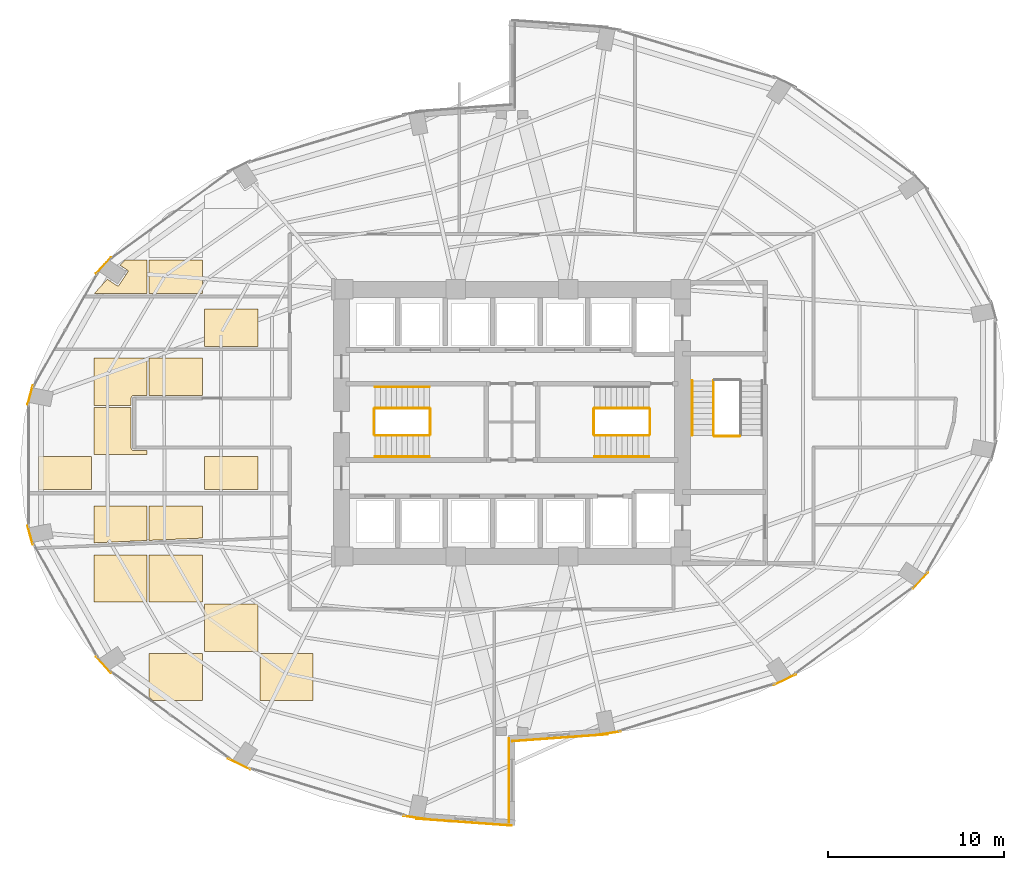
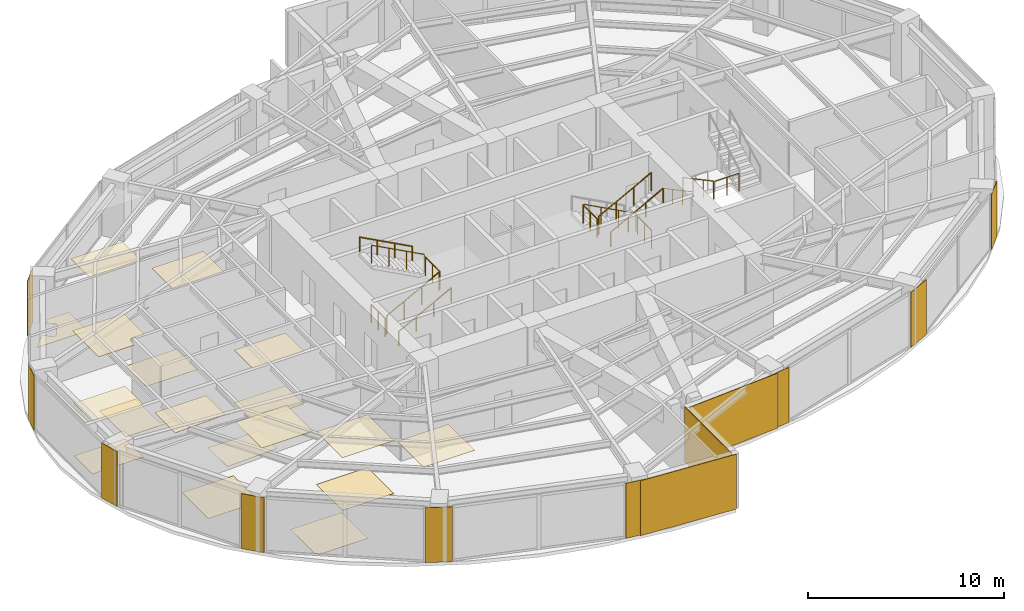
# One storey, part 23 of 24: 30 coverings, 14 railings.
"""IFC4 building model written with IfcOpenShell, lengths in metres."""

from ifc_helpers import new_model, si_unit, direction, frame, origin, origin_2d, place, context, subcontext, project, spatial, polyline, rectangle, circle, outline, extrude, material, layer, layer_set, type_object, element, save


model = new_model("IFC4")

# Units and contexts
model_context = context("Model", 3, precision=1e-05, world=origin(), true_north=direction((0.0, 1.0)))
body_context = subcontext(model_context, "Body", "Model", "MODEL_VIEW")
ifc_project = project(units=[si_unit("LENGTHUNIT", "METRE"), si_unit("AREAUNIT", "SQUARE_METRE"), si_unit("VOLUMEUNIT", "CUBIC_METRE"), si_unit("PLANEANGLEUNIT", "RADIAN"), si_unit("MASSUNIT", "GRAM", prefix="KILO")], contexts=[model_context])

# Site, building, storey
site_placement = place(None, origin())
site = spatial("IfcSite", under=ifc_project, at=site_placement, CompositionType="ELEMENT")
building_placement = place(site_placement, origin())
building = spatial("IfcBuilding", under=site, at=building_placement, Name="Lazwardi Medical Tower", CompositionType="ELEMENT")
storey_placement = place(building_placement, frame((0.0, 0.0, 39.7919921875)))
storey = spatial("IfcBuildingStorey", under=building, at=storey_placement, Name="L09", CompositionType="ELEMENT", Elevation=39.7919921875)

# Coverings
ifc_material_1 = material(Name="Anodised bronze aluminium cassette cladding", Category="aluminium")
ifc_layer_1 = layer(ifc_material_1, 0.030029296875)
ifc_layer_set_1 = layer_set([ifc_layer_1], Name="Anodised bronze aluminium cassette cladding")
covering_type_1 = type_object("IfcCoveringType", Name="COV-CLD-BRZ", PredefinedType="CLADDING", material=ifc_layer_set_1)
covering_1_placement = place(storey_placement, frame((41.454345703125, 10.33251953125, 0.0), z_axis=(0.0, 0.0, 1.0), x_axis=(0.98957259946, 0.144034962415, 0.0)))
element("IfcCovering", 1, at=covering_1_placement, inside=storey, type_object=covering_type_1, Name="L09 Mega-column bronze cassette cover M01", PredefinedType="CLADDING", context=body_context, shape_type="SweptSolid", body=[
    extrude(rectangle(XDim=1.49951171875, YDim=0.030029296875, at=origin_2d()), origin(), (0.0, 0.0, 1.0), 3.427978515625),
])
covering_2_placement = place(storey_placement, frame((51.532470703125, 13.3876953125, 0.0), z_axis=(0.0, 0.0, 1.0), x_axis=(0.898334492373, 0.439312121178, 0.0)))
element("IfcCovering", 2, at=covering_2_placement, inside=storey, type_object=covering_type_1, Name="L09 Mega-column bronze cassette cover M02", PredefinedType="CLADDING", context=body_context, shape_type="SweptSolid", body=[
    extrude(rectangle(XDim=1.400390625, YDim=0.030029296875, at=origin_2d()), origin(), (0.0, 0.0, 1.0), 3.427978515625),
])
for number, where, z_axis, x_axis, name in (
    (3, (59.24609375, 19.03271484375, 0.0), (0.0, 0.0, 1.0), (0.674252120961, 0.738501237223, 0.0), "L09 Mega-column bronze cassette cover M03"),
    (4, (12.75390625, 36.96728515625, 0.0), (0.0, 0.0, 1.0), (-0.674252120961, -0.738501237223, 0.0), "L09 Mega-column bronze cassette cover M11"),
):
    element("IfcCovering", number, at=place(storey_placement, frame(where, z_axis=z_axis, x_axis=x_axis)), inside=storey, type_object=covering_type_1, Name=name, PredefinedType="CLADDING", context=body_context, shape_type="SweptSolid", body=[
        extrude(rectangle(XDim=1.24658203125, YDim=0.030029296875, at=origin_2d()), origin(), (0.0, 0.0, 1.0), 3.427978515625),
    ])
for number, where, z_axis, x_axis, name in (
    (5, (8.579345703125, 29.591796875, 0.0), (0.0, 0.0, 1.0), (-0.262283496593, -0.964990863902, 0.0), "L09 Mega-column bronze cassette cover M12"),
    (6, (8.579345703125, 21.6083984375, 0.0), (0.0, 0.0, 1.0), (0.262283496593, -0.964990863902, 0.0), "L09 Mega-column bronze cassette cover M13"),
):
    element("IfcCovering", number, at=place(storey_placement, frame(where, z_axis=z_axis, x_axis=x_axis)), inside=storey, type_object=covering_type_1, Name=name, PredefinedType="CLADDING", context=body_context, shape_type="SweptSolid", body=[
        extrude(rectangle(XDim=1.12548828125, YDim=0.030029296875, at=origin_2d()), origin(), (0.0, 0.0, 1.0), 3.427978515625),
    ])
covering_3_placement = place(storey_placement, frame((12.75390625, 14.232666015625, 0.0), z_axis=(0.0, 0.0, 1.0), x_axis=(0.674252120961, -0.738501237223, 0.0)))
element("IfcCovering", 7, at=covering_3_placement, inside=storey, type_object=covering_type_1, Name="L09 Mega-column bronze cassette cover M14", PredefinedType="CLADDING", context=body_context, shape_type="SweptSolid", body=[
    extrude(rectangle(XDim=1.24658203125, YDim=0.030029296875, at=origin_2d()), origin(), (0.0, 0.0, 1.0), 3.427978515625),
])
covering_4_placement = place(storey_placement, frame((20.467529296875, 8.587646484375, 0.0), z_axis=(0.0, 0.0, 1.0), x_axis=(0.898334492373, -0.439312121178, 0.0)))
element("IfcCovering", 8, at=covering_4_placement, inside=storey, type_object=covering_type_1, Name="L09 Mega-column bronze cassette cover M15", PredefinedType="CLADDING", context=body_context, shape_type="SweptSolid", body=[
    extrude(rectangle(XDim=1.400390625, YDim=0.030029296875, at=origin_2d()), origin(), (0.0, 0.0, 1.0), 3.427978515625),
])
covering_5_placement = place(storey_placement, frame((30.545654296875, 5.53271484375, 0.0), z_axis=(0.0, 0.0, 1.0), x_axis=(0.98957259946, -0.144034962415, 0.0)))
element("IfcCovering", 9, at=covering_5_placement, inside=storey, type_object=covering_type_1, Name="L09 Mega-column bronze cassette cover M16", PredefinedType="CLADDING", context=body_context, shape_type="SweptSolid", body=[
    extrude(rectangle(XDim=1.49951171875, YDim=0.030029296875, at=origin_2d()), origin(), (0.0, 0.0, 1.0), 3.427978515625),
])
ifc_material_2 = material(Name="Turquoise glazed ceramic tilework cladding", Category="masonry")
ifc_layer_2 = layer(ifc_material_2, 0.034912109375)
ifc_layer_set_2 = layer_set([ifc_layer_2], Name="Turquoise glazed ceramic tilework cladding")
covering_type_2 = type_object("IfcCoveringType", Name="COV-CLD-TRQ", PredefinedType="CLADDING", material=ifc_layer_set_2)
covering_6_placement = place(storey_placement, frame((38.728271484375, 10.080322265625, 0.0), z_axis=(0.0, 0.0, 1.0), x_axis=(0.997421404513, 0.071767275412, 0.0)))
element("IfcCovering", 10, at=covering_6_placement, inside=storey, type_object=covering_type_2, Name="L09 Turquoise glazed ceramic tilework cladding", PredefinedType="CLADDING", context=body_context, shape_type="SweptSolid", body=[
    extrude(rectangle(XDim=5.4453125, YDim=0.034912109375, at=origin_2d()), origin(), (0.0, 0.0, 1.0), 3.427978515625),
])
covering_7_placement = place(storey_placement, frame((33.271484375, 5.280517578125, 0.0), z_axis=(0.0, 0.0, 1.0), x_axis=(0.997420903458, -0.071774238726, 0.0)))
element("IfcCovering", 11, at=covering_7_placement, inside=storey, type_object=covering_type_2, Name="L09 Turquoise glazed ceramic tilework cladding", PredefinedType="CLADDING", context=body_context, shape_type="SweptSolid", body=[
    extrude(rectangle(XDim=5.44482421875, YDim=0.034912109375, at=origin_2d()), origin(), (0.0, 0.0, 1.0), 3.427978515625),
])
covering_8_placement = place(storey_placement, frame((35.824462890625, 7.659912109375, 0.0), z_axis=(0.0, 0.0, 1.0), x_axis=(0.0, 1.0, 0.0)))
element("IfcCovering", 12, at=covering_8_placement, inside=storey, type_object=covering_type_2, Name="L09 Turquoise glazed ceramic tilework iwan panel", PredefinedType="CLADDING", context=body_context, shape_type="SweptSolid", body=[
    extrude(rectangle(XDim=4.800048828125, YDim=0.034912109375, at=origin_2d()), origin(), (0.0, 0.0, 1.0), 3.427978515625),
])
ifc_material_3 = material(Name="Acoustic mineral fibre tile")
ifc_layer_3 = layer(ifc_material_3, 0.02490234375)
ifc_layer_set_3 = layer_set([ifc_layer_3], Name="Acoustic mineral fibre tile")
covering_type_3 = type_object("IfcCoveringType", Name="COV-CLG-01", PredefinedType="CEILING", material=ifc_layer_set_3)
covering_9_placement = place(storey_placement, frame((0.0, 0.0, 3.282958984375)))
element("IfcCovering", 13, at=covering_9_placement, inside=storey, type_object=covering_type_3, Name="L09 Clinical Acoustic Ceiling 1", PredefinedType="CEILING", context=body_context, shape_type="SweptSolid", body=[
    extrude(outline(polyline([(9.052978515625, 24.199951171875), (12.0830078125, 24.199951171875), (12.0830078125, 26.08251953125), (9.052978515625, 26.08251953125), (9.052978515625, 24.199951171875)])), origin(), (0.0, 0.0, 1.0), 0.025146484375),
])
covering_10_placement = place(storey_placement, frame((0.0, 0.0, 3.282958984375)))
element("IfcCovering", 14, at=covering_10_placement, inside=storey, type_object=covering_type_3, Name="L09 Clinical Acoustic Ceiling 2", PredefinedType="CEILING", context=body_context, shape_type="SweptSolid", body=[
    extrude(outline(polyline([(12.202880859375, 21.177978515625), (15.23291015625, 21.310546875), (15.23291015625, 23.282470703125), (12.202880859375, 23.282470703125), (12.202880859375, 21.177978515625)])), origin(), (0.0, 0.0, 1.0), 0.025146484375),
])
covering_11_placement = place(storey_placement, frame((0.0, 0.0, 3.282958984375)))
element("IfcCovering", 15, at=covering_11_placement, inside=storey, type_object=covering_type_3, Name="L09 Clinical Acoustic Ceiling 3", PredefinedType="CEILING", context=body_context, shape_type="SweptSolid", body=[
    extrude(outline(polyline([(14.324951171875, 29.00244140625), (14.324951171875, 29.39990234375), (14.3251953125, 29.404296875), (14.32568359375, 29.41357421875), (14.326416015625, 29.42041015625), (14.32763671875, 29.4296875), (14.3291015625, 29.43798828125), (14.33154296875, 29.447265625), (14.33349609375, 29.4541015625), (14.336669921875, 29.462890625), (14.340087890625, 29.470703125), (14.343994140625, 29.479248046875), (14.34765625, 29.486083984375), (14.352294921875, 29.493896484375), (14.35693359375, 29.500732421875), (14.362548828125, 29.50830078125), (14.3671875, 29.513916015625), (14.373291015625, 29.520751953125), (14.37939453125, 29.526611328125), (14.38623046875, 29.532958984375), (14.391845703125, 29.53759765625), (14.3994140625, 29.543212890625), (14.406005859375, 29.547607421875), (14.4140625, 29.552490234375), (14.4208984375, 29.555908203125), (14.42919921875, 29.56005859375), (14.43701171875, 29.563232421875), (14.44580078125, 29.56640625), (14.452880859375, 29.568603515625), (14.4619140625, 29.57080078125), (14.47021484375, 29.572509765625), (14.4794921875, 29.57373046875), (14.486328125, 29.574462890625), (14.49560546875, 29.574951171875), (14.5, 29.574951171875), (15.23291015625, 29.574951171875), (15.23291015625, 31.6826171875), (12.202880859375, 31.6826171875), (12.202880859375, 29.00244140625), (14.324951171875, 29.00244140625)])), origin(), (0.0, 0.0, 1.0), 0.025146484375),
])
covering_12_placement = place(storey_placement, frame((0.0, 0.0, 3.282958984375)))
element("IfcCovering", 16, at=covering_12_placement, inside=storey, type_object=covering_type_3, Name="L09 Clinical Acoustic Ceiling 4", PredefinedType="CEILING", context=body_context, shape_type="SweptSolid", body=[
    extrude(outline(polyline([(18.3828125, 17.802490234375), (18.3828125, 20.482421875), (15.352783203125, 20.482421875), (15.352783203125, 17.802490234375), (18.3828125, 17.802490234375)])), origin(), (0.0, 0.0, 1.0), 0.025146484375),
])
covering_13_placement = place(storey_placement, frame((0.0, 0.0, 3.282958984375)))
element("IfcCovering", 17, at=covering_13_placement, inside=storey, type_object=covering_type_3, Name="L09 Clinical Acoustic Ceiling 5", PredefinedType="CEILING", context=body_context, shape_type="SweptSolid", body=[
    extrude(outline(polyline([(15.352783203125, 35.364990234375), (18.3828125, 35.364990234375), (18.3828125, 37.282470703125), (15.352783203125, 37.282470703125), (15.352783203125, 35.364990234375)])), origin(), (0.0, 0.0, 1.0), 0.025146484375),
])
covering_14_placement = place(storey_placement, frame((0.0, 0.0, 3.282958984375)))
element("IfcCovering", 18, at=covering_14_placement, inside=storey, type_object=covering_type_3, Name="L09 Clinical Acoustic Ceiling 6", PredefinedType="CEILING", context=body_context, shape_type="SweptSolid", body=[
    extrude(outline(polyline([(21.532958984375, 15.00244140625), (21.532958984375, 17.6826171875), (18.5029296875, 17.6826171875), (18.5029296875, 15.00244140625), (21.532958984375, 15.00244140625)])), origin(), (0.0, 0.0, 1.0), 0.025146484375),
])
covering_15_placement = place(storey_placement, frame((0.0, 0.0, 3.282958984375)))
element("IfcCovering", 19, at=covering_15_placement, inside=storey, type_object=covering_type_3, Name="L09 Clinical Acoustic Ceiling 7", PredefinedType="CEILING", context=body_context, shape_type="SweptSolid", body=[
    extrude(outline(polyline([(18.5029296875, 24.199951171875), (21.532958984375, 24.199951171875), (21.532958984375, 26.08251953125), (18.5029296875, 26.08251953125), (18.5029296875, 24.199951171875)])), origin(), (0.0, 0.0, 1.0), 0.025146484375),
])
covering_16_placement = place(storey_placement, frame((0.0, 0.0, 3.282958984375)))
element("IfcCovering", 20, at=covering_16_placement, inside=storey, type_object=covering_type_3, Name="L09 Clinical Acoustic Ceiling 8", PredefinedType="CEILING", context=body_context, shape_type="SweptSolid", body=[
    extrude(outline(polyline([(18.5029296875, 32.364990234375), (21.532958984375, 32.364990234375), (21.532958984375, 34.482421875), (18.5029296875, 34.482421875), (18.5029296875, 32.364990234375)])), origin(), (0.0, 0.0, 1.0), 0.025146484375),
])
covering_17_placement = place(storey_placement, frame((0.0, 0.0, 3.282958984375)))
element("IfcCovering", 21, at=covering_17_placement, inside=storey, type_object=covering_type_3, Name="L09 Clinical Acoustic Ceiling 10", PredefinedType="CEILING", context=body_context, shape_type="SweptSolid", body=[
    extrude(outline(polyline([(24.682861328125, 12.202392578125), (24.682861328125, 14.882568359375), (21.65283203125, 14.882568359375), (21.65283203125, 12.202392578125), (24.682861328125, 12.202392578125)])), origin(), (0.0, 0.0, 1.0), 0.025146484375),
])
ifc_material_4 = material(Name="Anti-static hospital vinyl sheet flooring")
ifc_layer_4 = layer(ifc_material_4, 0.014892578125)
ifc_layer_set_4 = layer_set([ifc_layer_4], Name="Anti-static hospital vinyl sheet flooring")
covering_type_4 = type_object("IfcCoveringType", Name="COV-FLR-01", PredefinedType="FLOORING", material=ifc_layer_set_4)
covering_18_placement = place(storey_placement, origin())
element("IfcCovering", 22, at=covering_18_placement, inside=storey, type_object=covering_type_4, Name="L09 Clinical Vinyl Flooring 1", PredefinedType="FLOORING", context=body_context, shape_type="SweptSolid", body=[
    extrude(outline(polyline([(9.052978515625, 24.199951171875), (12.0830078125, 24.199951171875), (12.0830078125, 26.08251953125), (9.052978515625, 26.08251953125), (9.052978515625, 24.199951171875)])), origin(), (0.0, 0.0, 1.0), 0.014892578125),
])
covering_19_placement = place(storey_placement, origin())
element("IfcCovering", 23, at=covering_19_placement, inside=storey, type_object=covering_type_4, Name="L09 Clinical Vinyl Flooring 2", PredefinedType="FLOORING", context=body_context, shape_type="SweptSolid", body=[
    extrude(outline(polyline([(15.23291015625, 17.802490234375), (15.23291015625, 20.482421875), (12.202880859375, 20.482421875), (12.202880859375, 17.802490234375), (15.23291015625, 17.802490234375)])), origin(), (0.0, 0.0, 1.0), 0.014892578125),
])
covering_20_placement = place(storey_placement, origin())
element("IfcCovering", 24, at=covering_20_placement, inside=storey, type_object=covering_type_4, Name="L09 Clinical Vinyl Flooring 3", PredefinedType="FLOORING", context=body_context, shape_type="SweptSolid", body=[
    extrude(outline(polyline([(15.23291015625, 26.425048828125), (14.5, 26.425048828125), (14.49560546875, 26.425048828125), (14.486328125, 26.425537109375), (14.4794921875, 26.42626953125), (14.47021484375, 26.427490234375), (14.4619140625, 26.42919921875), (14.452880859375, 26.431396484375), (14.44580078125, 26.43359375), (14.43701171875, 26.436767578125), (14.42919921875, 26.43994140625), (14.4208984375, 26.444091796875), (14.4140625, 26.447509765625), (14.406005859375, 26.452392578125), (14.3994140625, 26.456787109375), (14.391845703125, 26.46240234375), (14.38623046875, 26.467041015625), (14.37939453125, 26.473388671875), (14.373291015625, 26.479248046875), (14.3671875, 26.486083984375), (14.362548828125, 26.49169921875), (14.35693359375, 26.499267578125), (14.352294921875, 26.506103515625), (14.34765625, 26.513916015625), (14.343994140625, 26.520751953125), (14.340087890625, 26.529296875), (14.336669921875, 26.537109375), (14.33349609375, 26.5458984375), (14.33154296875, 26.552734375), (14.3291015625, 26.56201171875), (14.32763671875, 26.5703125), (14.326416015625, 26.57958984375), (14.32568359375, 26.58642578125), (14.3251953125, 26.595703125), (14.324951171875, 26.60009765625), (14.324951171875, 28.882568359375), (12.202880859375, 28.882568359375), (12.202880859375, 26.202392578125), (15.23291015625, 26.202392578125), (15.23291015625, 26.425048828125)])), origin(), (0.0, 0.0, 1.0), 0.014892578125),
])
covering_21_placement = place(storey_placement, origin())
element("IfcCovering", 25, at=covering_21_placement, inside=storey, type_object=covering_type_4, Name="L09 Clinical Vinyl Flooring 4", PredefinedType="FLOORING", context=body_context, shape_type="SweptSolid", body=[
    extrude(outline(polyline([(13.9794921875, 37.282470703125), (13.69677734375, 36.97314453125), (14.11083984375, 36.696533203125), (14.1171875, 36.69189453125), (14.123046875, 36.6865234375), (14.128173828125, 36.6806640625), (14.1328125, 36.67431640625), (14.136962890625, 36.667724609375), (14.140380859375, 36.66064453125), (14.14306640625, 36.6533203125), (14.14501953125, 36.6455078125), (14.14599609375, 36.6376953125), (14.146484375, 36.6298828125), (14.14599609375, 36.622314453125), (14.14501953125, 36.614501953125), (14.14306640625, 36.606689453125), (14.140380859375, 36.599365234375), (14.136962890625, 36.59228515625), (14.1328125, 36.585693359375), (13.6328125, 35.83740234375), (13.628173828125, 35.830810546875), (13.623046875, 35.8251953125), (13.6171875, 35.81982421875), (13.61083984375, 35.815185546875), (13.60400390625, 35.81103515625), (13.596923828125, 35.807861328125), (13.589599609375, 35.80517578125), (13.58203125, 35.80322265625), (13.57421875, 35.802001953125), (13.56640625, 35.8017578125), (13.55859375, 35.802001953125), (13.55078125, 35.80322265625), (13.543212890625, 35.80517578125), (13.535888671875, 35.807861328125), (13.52880859375, 35.81103515625), (13.52197265625, 35.815185546875), (12.972900390625, 36.181884765625), (12.2255859375, 35.364990234375), (15.23291015625, 35.364990234375), (15.23291015625, 37.282470703125), (13.9794921875, 37.282470703125)])), origin(), (0.0, 0.0, 1.0), 0.014892578125),
])
covering_22_placement = place(storey_placement, origin())
element("IfcCovering", 26, at=covering_22_placement, inside=storey, type_object=covering_type_4, Name="L09 Clinical Vinyl Flooring 5", PredefinedType="FLOORING", context=body_context, shape_type="SweptSolid", body=[
    extrude(outline(polyline([(15.352783203125, 12.416259765625), (15.548583984375, 12.202392578125), (18.3828125, 12.202392578125), (18.3828125, 14.882568359375), (15.352783203125, 14.882568359375), (15.352783203125, 12.416259765625)])), origin(), (0.0, 0.0, 1.0), 0.014892578125),
])
covering_23_placement = place(storey_placement, origin())
element("IfcCovering", 27, at=covering_23_placement, inside=storey, type_object=covering_type_4, Name="L09 Clinical Vinyl Flooring 6", PredefinedType="FLOORING", context=body_context, shape_type="SweptSolid", body=[
    extrude(outline(polyline([(15.352783203125, 21.31591796875), (18.3828125, 21.448486328125), (18.3828125, 23.282470703125), (15.352783203125, 23.282470703125), (15.352783203125, 21.31591796875)])), origin(), (0.0, 0.0, 1.0), 0.014892578125),
])
covering_24_placement = place(storey_placement, origin())
element("IfcCovering", 28, at=covering_24_placement, inside=storey, type_object=covering_type_4, Name="L09 Clinical Vinyl Flooring 7", PredefinedType="FLOORING", context=body_context, shape_type="SweptSolid", body=[
    extrude(outline(polyline([(15.352783203125, 29.574951171875), (18.3828125, 29.574951171875), (18.3828125, 31.6826171875), (15.352783203125, 31.6826171875), (15.352783203125, 29.574951171875)])), origin(), (0.0, 0.0, 1.0), 0.014892578125),
])
covering_25_placement = place(storey_placement, origin())
element("IfcCovering", 29, at=covering_25_placement, inside=storey, type_object=covering_type_4, Name="L09 Clinical Vinyl Flooring 9", PredefinedType="FLOORING", context=body_context, shape_type="SweptSolid", body=[
    extrude(outline(polyline([(21.532958984375, 15.00244140625), (21.532958984375, 17.6826171875), (18.5029296875, 17.6826171875), (18.5029296875, 15.00244140625), (21.532958984375, 15.00244140625)])), origin(), (0.0, 0.0, 1.0), 0.014892578125),
])
covering_26_placement = place(storey_placement, origin())
element("IfcCovering", 30, at=covering_26_placement, inside=storey, type_object=covering_type_4, Name="L09 Clinical Vinyl Flooring 10", PredefinedType="FLOORING", context=body_context, shape_type="SweptSolid", body=[
    extrude(outline(polyline([(18.5029296875, 24.199951171875), (21.532958984375, 24.199951171875), (21.532958984375, 26.08251953125), (18.5029296875, 26.08251953125), (18.5029296875, 24.199951171875)])), origin(), (0.0, 0.0, 1.0), 0.014892578125),
])

# Railings
ifc_material_5 = material(Name="Stainless steel Grade 316", Category="steel")
railing_type_1 = type_object("IfcRailingType", Name="RLG-GRD-1150", PredefinedType="GUARDRAIL", material=ifc_material_5)
railing_1_placement = place(storey_placement, frame((28.199951171875, 27.2900390625, 0.165771484375)))
element("IfcRailing", 31, at=railing_1_placement, inside=storey, type_object=railing_type_1, Name="L09 ST1 stair guard 1", PredefinedType="GUARDRAIL", context=body_context, shape_type="SweptSolid", body=[
    extrude(circle(Radius=0.02392578125, at=origin_2d()), frame((0.0, 0.0, 1.1259765625), z_axis=(0.881783298633, 0.0, 0.471654761719), x_axis=(0.0, 1.0, 0.0)), (0.0, 0.0, 1.0), 3.515625),
    extrude(circle(Radius=0.02099609375, at=origin_2d()), origin(), (0.0, 0.0, 1.0), 1.099853515625),
    extrude(circle(Radius=0.02099609375, at=origin_2d()), frame((1.033447265625, 0.0, 0.552734375)), (0.0, 0.0, 1.0), 1.099853515625),
    extrude(circle(Radius=0.02099609375, at=origin_2d()), frame((2.066650390625, 0.0, 1.10546875)), (0.0, 0.0, 1.0), 1.099853515625),
    extrude(circle(Radius=0.02099609375, at=origin_2d()), frame((3.10009765625, 0.0, 1.658203125)), (0.0, 0.0, 1.0), 1.099853515625),
])
railing_2_placement = place(storey_placement, frame((31.35009765625, 27.340087890625, 1.823974609375)))
element("IfcRailing", 32, at=railing_2_placement, inside=storey, type_object=railing_type_1, Name="L09 ST1 stair guard 2", PredefinedType="GUARDRAIL", context=body_context, shape_type="SweptSolid", body=[
    extrude(circle(Radius=0.02392578125, at=origin_2d()), frame((0.0, 0.0, 1.1259765625), z_axis=(0.0, 1.0, 0.0), x_axis=(-1.0, 0.0, 0.0)), (0.0, 0.0, 1.0), 1.43994140625),
    extrude(circle(Radius=0.02099609375, at=origin_2d()), origin(), (0.0, 0.0, 1.0), 1.099853515625),
    extrude(circle(Radius=0.02099609375, at=origin_2d()), frame((0.0, 0.719970703125, 0.0)), (0.0, 0.0, 1.0), 1.099853515625),
    extrude(circle(Radius=0.02099609375, at=origin_2d()), frame((0.0, 1.43994140625, 0.0)), (0.0, 0.0, 1.0), 1.099853515625),
])
railing_3_placement = place(storey_placement, frame((31.300048828125, 28.830078125, 1.98974609375)))
element("IfcRailing", 33, at=railing_3_placement, inside=storey, type_object=railing_type_1, Name="L09 ST1 stair guard 3", PredefinedType="GUARDRAIL", context=body_context, shape_type="SweptSolid", body=[
    extrude(circle(Radius=0.02392578125, at=origin_2d()), frame((0.0, 0.0, 1.1259765625), z_axis=(-0.881783298633, 0.0, 0.471654761719), x_axis=(0.0, -1.0, 0.0)), (0.0, 0.0, 1.0), 3.515625),
    extrude(circle(Radius=0.02099609375, at=origin_2d()), origin(), (0.0, 0.0, 1.0), 1.099853515625),
    extrude(circle(Radius=0.02099609375, at=origin_2d()), frame((-1.033447265625, 0.0, 0.552734375)), (0.0, 0.0, 1.0), 1.099853515625),
    extrude(circle(Radius=0.02099609375, at=origin_2d()), frame((-2.066650390625, 0.0, 1.10546875)), (0.0, 0.0, 1.0), 1.099853515625),
    extrude(circle(Radius=0.02099609375, at=origin_2d()), frame((-3.10009765625, 0.0, 1.658203125)), (0.0, 0.0, 1.0), 1.099853515625),
])
railing_4_placement = place(storey_placement, frame((28.14990234375, 27.340087890625, 0.0)))
element("IfcRailing", 34, at=railing_4_placement, inside=storey, type_object=railing_type_1, Name="L09 ST1 stair guard 4", PredefinedType="GUARDRAIL", context=body_context, shape_type="SweptSolid", body=[
    extrude(circle(Radius=0.02392578125, at=origin_2d()), frame((0.0, 0.0, 1.1259765625), z_axis=(0.0, 1.0, 0.0), x_axis=(-1.0, 0.0, 0.0)), (0.0, 0.0, 1.0), 1.43994140625),
    extrude(circle(Radius=0.02099609375, at=origin_2d()), origin(), (0.0, 0.0, 1.0), 1.099853515625),
    extrude(circle(Radius=0.02099609375, at=origin_2d()), frame((0.0, 0.719970703125, 0.0)), (0.0, 0.0, 1.0), 1.099853515625),
    extrude(circle(Radius=0.02099609375, at=origin_2d()), frame((0.0, 1.43994140625, 0.0)), (0.0, 0.0, 1.0), 1.099853515625),
])
railing_5_placement = place(storey_placement, frame((43.800048828125, 28.830078125, 0.165771484375)))
element("IfcRailing", 35, at=railing_5_placement, inside=storey, type_object=railing_type_1, Name="L09 ST2 stair guard 1", PredefinedType="GUARDRAIL", context=body_context, shape_type="SweptSolid", body=[
    extrude(circle(Radius=0.02392578125, at=origin_2d()), frame((0.0, 0.0, 1.1259765625), z_axis=(-0.881783298633, 0.0, 0.471654761719), x_axis=(0.0, -1.0, 0.0)), (0.0, 0.0, 1.0), 3.515625),
    extrude(circle(Radius=0.02099609375, at=origin_2d()), origin(), (0.0, 0.0, 1.0), 1.099853515625),
    extrude(circle(Radius=0.02099609375, at=origin_2d()), frame((-1.033447265625, 0.0, 0.552734375)), (0.0, 0.0, 1.0), 1.099853515625),
    extrude(circle(Radius=0.02099609375, at=origin_2d()), frame((-2.066650390625, 0.0, 1.10546875)), (0.0, 0.0, 1.0), 1.099853515625),
    extrude(circle(Radius=0.02099609375, at=origin_2d()), frame((-3.10009765625, 0.0, 1.658203125)), (0.0, 0.0, 1.0), 1.099853515625),
])
railing_6_placement = place(storey_placement, frame((40.64990234375, 28.780029296875, 1.823974609375)))
element("IfcRailing", 36, at=railing_6_placement, inside=storey, type_object=railing_type_1, Name="L09 ST2 stair guard 2", PredefinedType="GUARDRAIL", context=body_context, shape_type="SweptSolid", body=[
    extrude(circle(Radius=0.02392578125, at=origin_2d()), frame((0.0, 0.0, 1.1259765625), z_axis=(0.0, -1.0, 0.0), x_axis=(1.0, 0.0, 0.0)), (0.0, 0.0, 1.0), 1.43994140625),
    extrude(circle(Radius=0.02099609375, at=origin_2d()), origin(), (0.0, 0.0, 1.0), 1.099853515625),
    extrude(circle(Radius=0.02099609375, at=origin_2d()), frame((0.0, -0.719970703125, 0.0)), (0.0, 0.0, 1.0), 1.099853515625),
    extrude(circle(Radius=0.02099609375, at=origin_2d()), frame((0.0, -1.43994140625, 0.0)), (0.0, 0.0, 1.0), 1.099853515625),
])
railing_7_placement = place(storey_placement, frame((40.699951171875, 27.2900390625, 1.98974609375)))
element("IfcRailing", 37, at=railing_7_placement, inside=storey, type_object=railing_type_1, Name="L09 ST2 stair guard 3", PredefinedType="GUARDRAIL", context=body_context, shape_type="SweptSolid", body=[
    extrude(circle(Radius=0.02392578125, at=origin_2d()), frame((0.0, 0.0, 1.1259765625), z_axis=(0.881783298633, 0.0, 0.471654761719), x_axis=(0.0, 1.0, 0.0)), (0.0, 0.0, 1.0), 3.515625),
    extrude(circle(Radius=0.02099609375, at=origin_2d()), origin(), (0.0, 0.0, 1.0), 1.099853515625),
    extrude(circle(Radius=0.02099609375, at=origin_2d()), frame((1.033447265625, 0.0, 0.552734375)), (0.0, 0.0, 1.0), 1.099853515625),
    extrude(circle(Radius=0.02099609375, at=origin_2d()), frame((2.066650390625, 0.0, 1.10546875)), (0.0, 0.0, 1.0), 1.099853515625),
    extrude(circle(Radius=0.02099609375, at=origin_2d()), frame((3.10009765625, 0.0, 1.658203125)), (0.0, 0.0, 1.0), 1.099853515625),
])
railing_8_placement = place(storey_placement, frame((43.85009765625, 28.780029296875, 0.0)))
element("IfcRailing", 38, at=railing_8_placement, inside=storey, type_object=railing_type_1, Name="L09 ST2 stair guard 4", PredefinedType="GUARDRAIL", context=body_context, shape_type="SweptSolid", body=[
    extrude(circle(Radius=0.02392578125, at=origin_2d()), frame((0.0, 0.0, 1.1259765625), z_axis=(0.0, -1.0, 0.0), x_axis=(1.0, 0.0, 0.0)), (0.0, 0.0, 1.0), 1.43994140625),
    extrude(circle(Radius=0.02099609375, at=origin_2d()), origin(), (0.0, 0.0, 1.0), 1.099853515625),
    extrude(circle(Radius=0.02099609375, at=origin_2d()), frame((0.0, -0.719970703125, 0.0)), (0.0, 0.0, 1.0), 1.099853515625),
    extrude(circle(Radius=0.02099609375, at=origin_2d()), frame((0.0, -1.43994140625, 0.0)), (0.0, 0.0, 1.0), 1.099853515625),
])
railing_9_placement = place(storey_placement, frame((47.469970703125, 30.39990234375, 0.165771484375)))
element("IfcRailing", 39, at=railing_9_placement, inside=storey, type_object=railing_type_1, Name="L09 ST3 stair guard 1", PredefinedType="GUARDRAIL", context=body_context, shape_type="SweptSolid", body=[
    extrude(circle(Radius=0.02392578125, at=origin_2d()), frame((0.0, 0.0, 1.1259765625), z_axis=(0.0, -0.881767849116, 0.471683644262), x_axis=(1.0, 0.0, 0.0)), (0.0, 0.0, 1.0), 3.515380859375),
    extrude(circle(Radius=0.02099609375, at=origin_2d()), origin(), (0.0, 0.0, 1.0), 1.099853515625),
    extrude(circle(Radius=0.02099609375, at=origin_2d()), frame((0.0, -1.033203125, 0.552734375)), (0.0, 0.0, 1.0), 1.099853515625),
    extrude(circle(Radius=0.02099609375, at=origin_2d()), frame((0.0, -2.066650390625, 1.10546875)), (0.0, 0.0, 1.0), 1.099853515625),
    extrude(circle(Radius=0.02099609375, at=origin_2d()), frame((0.0, -3.099853515625, 1.658203125)), (0.0, 0.0, 1.0), 1.099853515625),
])
railing_10_placement = place(storey_placement, frame((47.52001953125, 27.25, 1.823974609375)))
element("IfcRailing", 40, at=railing_10_placement, inside=storey, type_object=railing_type_1, Name="L09 ST3 stair guard 2", PredefinedType="GUARDRAIL", context=body_context, shape_type="SweptSolid", body=[
    extrude(circle(Radius=0.02392578125, at=origin_2d()), frame((0.0, 0.0, 1.1259765625), z_axis=(1.0, 0.0, 0.0), x_axis=(0.0, 1.0, 0.0)), (0.0, 0.0, 1.0), 1.43994140625),
    extrude(circle(Radius=0.02099609375, at=origin_2d()), origin(), (0.0, 0.0, 1.0), 1.099853515625),
    extrude(circle(Radius=0.02099609375, at=origin_2d()), frame((0.719970703125, 0.0, 0.0)), (0.0, 0.0, 1.0), 1.099853515625),
    extrude(circle(Radius=0.02099609375, at=origin_2d()), frame((1.43994140625, 0.0, 0.0)), (0.0, 0.0, 1.0), 1.099853515625),
])
railing_type_2 = type_object("IfcRailingType", Name="RLG-HND-920", PredefinedType="HANDRAIL", material=ifc_material_5)
railing_11_placement = place(storey_placement, frame((28.199951171875, 26.070068359375, 0.165771484375)))
element("IfcRailing", 41, at=railing_11_placement, inside=storey, type_object=railing_type_2, Name="L09 ST1 stair handrail 1", PredefinedType="HANDRAIL", context=body_context, shape_type="SweptSolid", body=[
    extrude(circle(Radius=0.02392578125, at=origin_2d()), frame((0.0, 0.0, 0.8857421875), z_axis=(0.881783298633, 0.0, 0.471654761719), x_axis=(0.0, 1.0, 0.0)), (0.0, 0.0, 1.0), 3.515625),
    extrude(circle(Radius=0.02099609375, at=origin_2d()), origin(), (0.0, 0.0, 1.0), 0.85986328125),
    extrude(circle(Radius=0.02099609375, at=origin_2d()), frame((1.033447265625, 0.0, 0.552734375)), (0.0, 0.0, 1.0), 0.85986328125),
    extrude(circle(Radius=0.02099609375, at=origin_2d()), frame((2.066650390625, 0.0, 1.10546875)), (0.0, 0.0, 1.0), 0.85986328125),
    extrude(circle(Radius=0.02099609375, at=origin_2d()), frame((3.10009765625, 0.0, 1.658203125)), (0.0, 0.0, 1.0), 0.85986328125),
])
railing_12_placement = place(storey_placement, frame((31.300048828125, 30.050048828125, 1.98974609375)))
element("IfcRailing", 42, at=railing_12_placement, inside=storey, type_object=railing_type_2, Name="L09 ST1 stair handrail 2", PredefinedType="HANDRAIL", context=body_context, shape_type="SweptSolid", body=[
    extrude(circle(Radius=0.02392578125, at=origin_2d()), frame((0.0, 0.0, 0.8857421875), z_axis=(-0.881783298633, 0.0, 0.471654761719), x_axis=(0.0, -1.0, 0.0)), (0.0, 0.0, 1.0), 3.515625),
    extrude(circle(Radius=0.02099609375, at=origin_2d()), origin(), (0.0, 0.0, 1.0), 0.85986328125),
    extrude(circle(Radius=0.02099609375, at=origin_2d()), frame((-1.033447265625, 0.0, 0.552734375)), (0.0, 0.0, 1.0), 0.85986328125),
    extrude(circle(Radius=0.02099609375, at=origin_2d()), frame((-2.066650390625, 0.0, 1.10546875)), (0.0, 0.0, 1.0), 0.85986328125),
    extrude(circle(Radius=0.02099609375, at=origin_2d()), frame((-3.10009765625, 0.0, 1.658203125)), (0.0, 0.0, 1.0), 0.85986328125),
])
railing_13_placement = place(storey_placement, frame((40.699951171875, 26.070068359375, 1.98974609375)))
element("IfcRailing", 43, at=railing_13_placement, inside=storey, type_object=railing_type_2, Name="L09 ST2 stair handrail 2", PredefinedType="HANDRAIL", context=body_context, shape_type="SweptSolid", body=[
    extrude(circle(Radius=0.02392578125, at=origin_2d()), frame((0.0, 0.0, 0.8857421875), z_axis=(0.881783298633, 0.0, 0.471654761719), x_axis=(0.0, 1.0, 0.0)), (0.0, 0.0, 1.0), 3.515625),
    extrude(circle(Radius=0.02099609375, at=origin_2d()), origin(), (0.0, 0.0, 1.0), 0.85986328125),
    extrude(circle(Radius=0.02099609375, at=origin_2d()), frame((1.033447265625, 0.0, 0.552734375)), (0.0, 0.0, 1.0), 0.85986328125),
    extrude(circle(Radius=0.02099609375, at=origin_2d()), frame((2.066650390625, 0.0, 1.10546875)), (0.0, 0.0, 1.0), 0.85986328125),
    extrude(circle(Radius=0.02099609375, at=origin_2d()), frame((3.10009765625, 0.0, 1.658203125)), (0.0, 0.0, 1.0), 0.85986328125),
])
railing_14_placement = place(storey_placement, frame((46.25, 30.39990234375, 0.165771484375)))
element("IfcRailing", 44, at=railing_14_placement, inside=storey, type_object=railing_type_2, Name="L09 ST3 stair handrail 1", PredefinedType="HANDRAIL", context=body_context, shape_type="SweptSolid", body=[
    extrude(circle(Radius=0.02392578125, at=origin_2d()), frame((0.0, 0.0, 0.8857421875), z_axis=(0.0, -0.881767849116, 0.471683644262), x_axis=(1.0, 0.0, 0.0)), (0.0, 0.0, 1.0), 3.515380859375),
    extrude(circle(Radius=0.02099609375, at=origin_2d()), origin(), (0.0, 0.0, 1.0), 0.85986328125),
    extrude(circle(Radius=0.02099609375, at=origin_2d()), frame((0.0, -1.033203125, 0.552734375)), (0.0, 0.0, 1.0), 0.85986328125),
    extrude(circle(Radius=0.02099609375, at=origin_2d()), frame((0.0, -2.066650390625, 1.10546875)), (0.0, 0.0, 1.0), 0.85986328125),
    extrude(circle(Radius=0.02099609375, at=origin_2d()), frame((0.0, -3.099853515625, 1.658203125)), (0.0, 0.0, 1.0), 0.85986328125),
])

save(model, "model.ifc")
